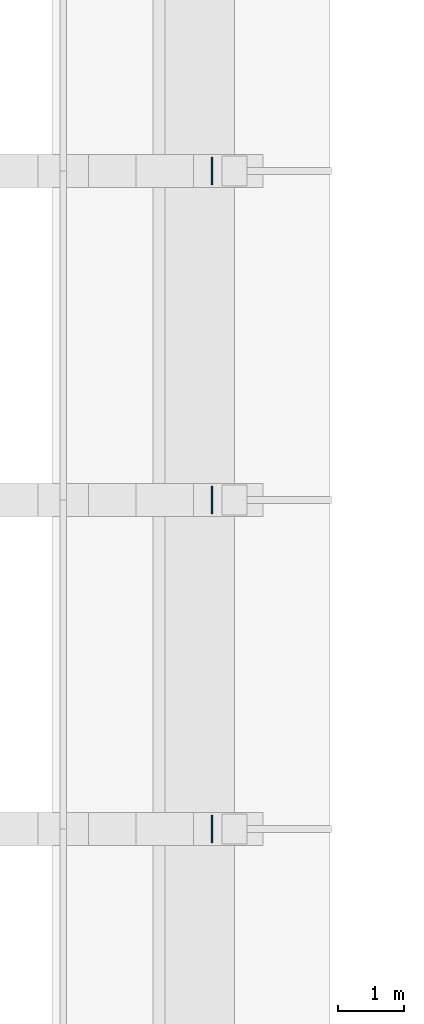
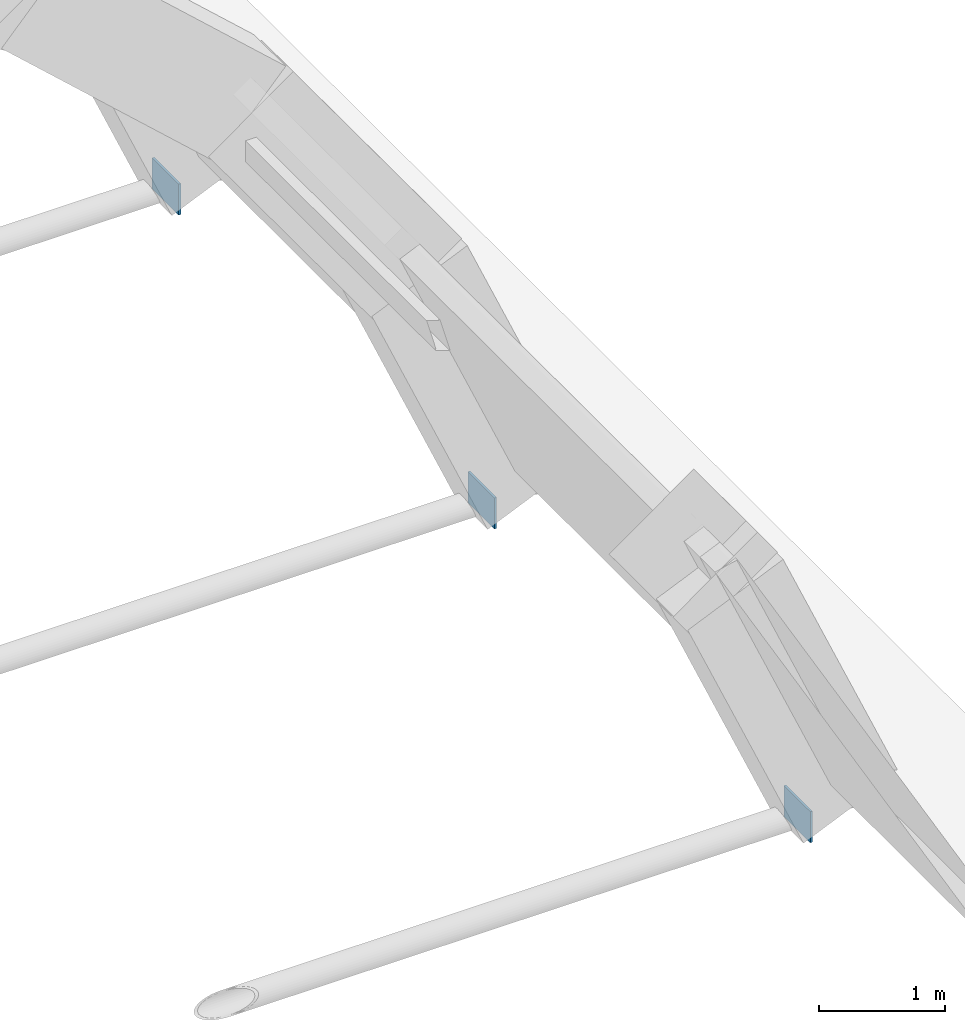
# One storey, part 33 of 76: 3 plates.
"""IFC4 building model written with IfcOpenShell, lengths in metres."""

from ifc_helpers import new_model, si_unit, direction, frame, origin, origin_2d, place, context, subcontext, project, spatial, rectangle, extrude, material, layer, layer_set, type_object, element, save


model = new_model("IFC4")

# Units and contexts
model_context = context("Model", 3, precision=1e-05, world=origin(), true_north=direction((0.0, 1.0)))
body_context = subcontext(model_context, "Body", "Model", "MODEL_VIEW")
ifc_project = project(units=[si_unit("LENGTHUNIT", "METRE"), si_unit("AREAUNIT", "SQUARE_METRE"), si_unit("VOLUMEUNIT", "CUBIC_METRE"), si_unit("PLANEANGLEUNIT", "RADIAN"), si_unit("MASSUNIT", "GRAM", prefix="KILO")], contexts=[model_context])

# Site, building, storey
site_placement = place(None, origin())
site = spatial("IfcSite", under=ifc_project, at=site_placement, CompositionType="ELEMENT")
building_placement = place(site_placement, origin())
building = spatial("IfcBuilding", under=site, at=building_placement, Name="Kiranvali Square Residences", CompositionType="ELEMENT")
storey_placement = place(building_placement, frame((0.0, 0.0, 8.699951171875)))
storey = spatial("IfcBuildingStorey", under=building, at=storey_placement, Name="L02", CompositionType="ELEMENT", Elevation=8.699951171875)

# Plates
ifc_material = material(Name="Structural steel E350", Category="steel")
ifc_layer = layer(ifc_material, 0.02001953125)
ifc_layer_set = layer_set([ifc_layer], Name="Structural steel E350")
plate_type = type_object("IfcPlateType", Name="PLT-ENDCAP-20", PredefinedType="SHEET", material=ifc_layer_set)
for number, where, z_axis, x_axis, name in (
    (1, (95.659912109375, 69.0, -0.39990234375), (0.0, 0.0, 1.0), (1.0, 0.0, 0.0), "Vault tie rod end plate 6-E"),
    (2, (95.659912109375, 74.0, -0.39990234375), (0.0, 0.0, 1.0), (1.0, 0.0, 0.0), "Vault tie rod end plate 7-E"),
    (3, (95.659912109375, 79.0, -0.39990234375), (0.0, 0.0, 1.0), (1.0, 0.0, 0.0), "Vault tie rod end plate 8-E"),
):
    element("IfcPlate", number, at=place(storey_placement, frame(where, z_axis=z_axis, x_axis=x_axis)), inside=storey, type_object=plate_type, Name=name, PredefinedType="SHEET", context=body_context, shape_type="SweptSolid", body=[
        extrude(rectangle(XDim=0.02001953125, YDim=0.419921875, at=origin_2d()), origin(), (0.0, 0.0, 1.0), 0.300048828125),
    ])

save(model, "model.ifc")
